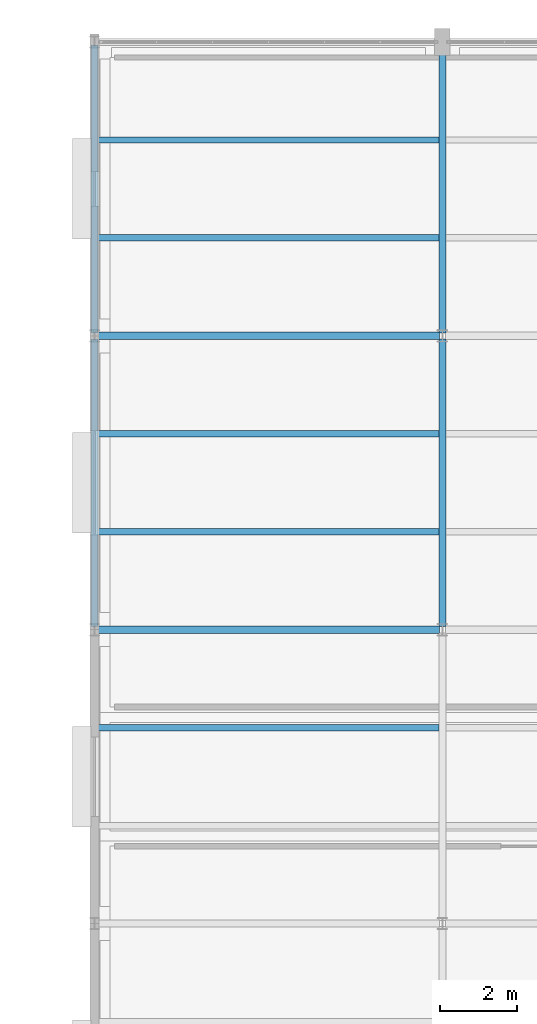
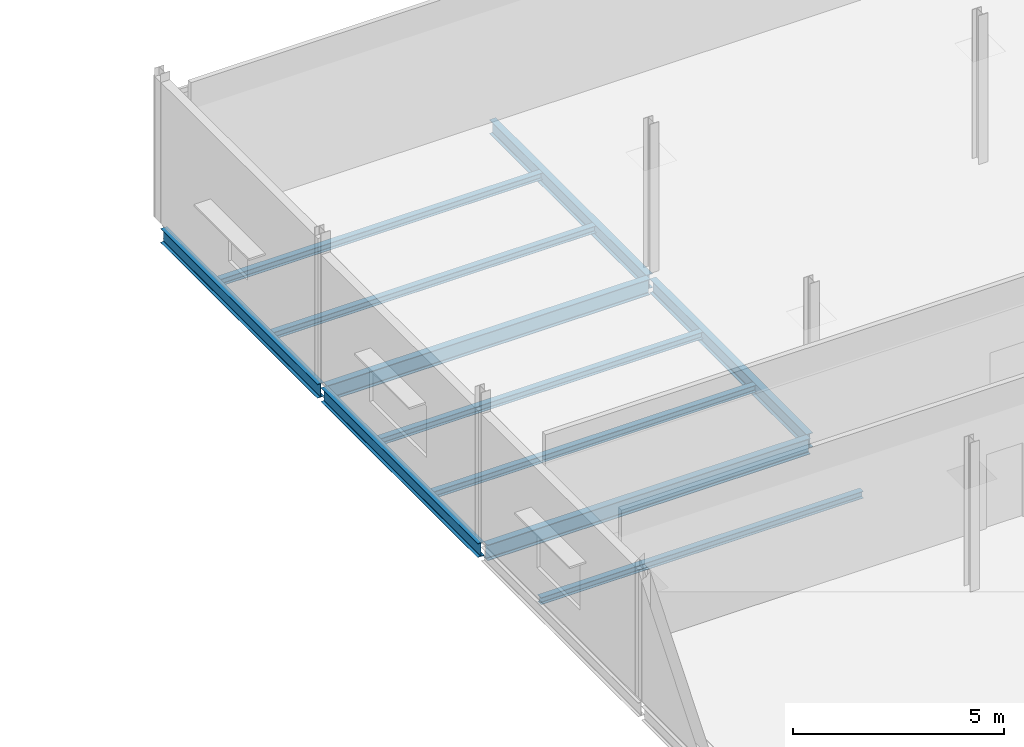
# One storey, part 81 of 174: 11 beams.
"""IFC4 building model written with IfcOpenShell, lengths in metres."""

import ifcopenshell
import ifcopenshell.guid

model = None  # the IFC model being written
_history = None  # IfcOwnerHistory: only IFC2X3 demands one
_inside = {}  # id of a spatial element -> (the spatial element, [elements in it])
_under = {}  # id of a project, library or spatial element -> (it, [spatial elements below it])
_declared = {}  # id of a project -> (the project, [libraries it declares])
_typed = {}  # id of a type object -> (the type object, [elements of that type])
_made_of = {}  # id of a material, layer set ... -> (it, [elements and type objects made of it])


def new_model(schema):
    """Start an empty IFC model of exactly this schema.

    Asked for "IFC4X3", IfcOpenShell would pick the latest addendum, in which some entities
    have other attributes; the version numbers below select the first issue.
    IFC2X3 requires an IfcOwnerHistory on every rooted entity: one is made here for all.
    """
    global model, _history
    if schema == "IFC4X3":
        model = ifcopenshell.file(schema_version=(4, 3, 0, 0))
    else:
        model = ifcopenshell.file(schema=schema)
    _inside.clear()
    _under.clear()
    _declared.clear()
    _typed.clear()
    _made_of.clear()
    _history = None
    if model.schema == "IFC2X3":
        org = make("IfcOrganization", Name="unknown")
        user = make(
            "IfcPersonAndOrganization",
            ThePerson=make("IfcPerson", FamilyName="unknown"),
            TheOrganization=org,
        )
        app = make(
            "IfcApplication",
            ApplicationDeveloper=org,
            Version="unknown",
            ApplicationFullName="unknown",
            ApplicationIdentifier="unknown",
        )
        _history = make(
            "IfcOwnerHistory",
            OwningUser=user,
            OwningApplication=app,
            ChangeAction="ADDED",
            CreationDate=0,
        )
    return model


def make(cls, **values):
    """One entity of the class cls with the attributes given. An attribute that is None is left unset."""
    return model.create_entity(
        cls, **{name: value for name, value in values.items() if value is not None}
    )


def rooted(cls, **values):
    """An entity with a GlobalId (a new one), such as an element, a storey or a relation."""
    return make(cls, GlobalId=ifcopenshell.guid.new(), OwnerHistory=_history, **values)


def si_unit(unit_type, name, prefix=None):
    """IfcSIUnit, for example si_unit("LENGTHUNIT", "METRE", prefix="MILLI")."""
    return make("IfcSIUnit", UnitType=unit_type, Prefix=prefix, Name=name)


def assignment(units):
    """IfcUnitAssignment: the units of a project."""
    return None if units is None else make("IfcUnitAssignment", Units=units)


def point(xyz):
    """IfcCartesianPoint."""
    return None if xyz is None else make("IfcCartesianPoint", Coordinates=xyz)


def direction(xyz):
    """IfcDirection."""
    return None if xyz is None else make("IfcDirection", DirectionRatios=xyz)


def frame(location, z_axis=None, x_axis=None):
    """IfcAxis2Placement3D, a coordinate frame: its origin and axes. An axis left out is left unset."""
    return make(
        "IfcAxis2Placement3D",
        Location=point(location),
        Axis=direction(z_axis),
        RefDirection=direction(x_axis),
    )


def frame_2d(location, x_axis=None):
    """IfcAxis2Placement2D, a coordinate frame in the plane: its origin and x axis."""
    return make(
        "IfcAxis2Placement2D", Location=point(location), RefDirection=direction(x_axis)
    )


def origin():
    """The frame at (0, 0, 0) with its axes left unset."""
    return frame((0.0, 0.0, 0.0))


def origin_2d():
    """The frame at (0, 0) in the plane with its x axis left unset."""
    return frame_2d((0.0, 0.0))


def place(relative_to, where):
    """IfcLocalPlacement: puts the frame where relative to a parent placement (None: the world)."""
    return make(
        "IfcLocalPlacement", PlacementRelTo=relative_to, RelativePlacement=where
    )


def context(
    kind, dimensions, precision=None, world=None, true_north=None, identifier=None
):
    """IfcGeometricRepresentationContext, for example the 3D "Model" context."""
    return make(
        "IfcGeometricRepresentationContext",
        ContextIdentifier=identifier,
        ContextType=kind,
        CoordinateSpaceDimension=dimensions,
        Precision=precision,
        WorldCoordinateSystem=world,
        TrueNorth=true_north,
    )


def subcontext(parent, identifier, kind, view, scale=None):
    """IfcGeometricRepresentationSubContext, for example "Body" below "Model"."""
    return make(
        "IfcGeometricRepresentationSubContext",
        ContextIdentifier=identifier,
        ContextType=kind,
        ParentContext=parent,
        TargetScale=scale,
        TargetView=view,
    )


def project(units=None, contexts=None):
    """IfcProject with its units and contexts."""
    return rooted(
        "IfcProject",
        Name="project",
        RepresentationContexts=contexts,
        UnitsInContext=assignment(units),
    )


def spatial(cls, under=None, at=None, **own):
    """A site, building, storey or space (cls), placed at a placement, below another one or the project."""
    s = rooted(cls, ObjectPlacement=at, **own)
    if under is not None:
        _under.setdefault(under.id(), (under, []))[1].append(s)
    return s


def profile(cls, at=None, kind="AREA", **sizes):
    """A parametric profile (cls). Its sizes go by their IFC names, for example OverallWidth=200.0."""
    return make(cls, ProfileType=kind, Position=at, **sizes)


def i_section(**sizes):
    """IfcIShapeProfileDef."""
    return profile("IfcIShapeProfileDef", **sizes)


def extrude(swept, where, along, depth):
    """IfcExtrudedAreaSolid: the profile swept, set in the frame where, extruded along a direction by depth."""
    return make(
        "IfcExtrudedAreaSolid",
        SweptArea=swept,
        Position=where,
        ExtrudedDirection=direction(along),
        Depth=depth,
    )


def shape(context_of_items, identifier, shape_type, items):
    """IfcShapeRepresentation: the items that make up one representation, for example the "Body"."""
    return make(
        "IfcShapeRepresentation",
        ContextOfItems=context_of_items,
        RepresentationIdentifier=identifier,
        RepresentationType=shape_type,
        Items=items,
    )


def material(Name=None, Category=None):
    """IfcMaterial."""
    return make("IfcMaterial", Name=Name, Category=Category)


def material_profile(
    of_material, cross_section, Name=None, Category=None, Priority=None
):
    """IfcMaterialProfile: a cross section and its material."""
    return make(
        "IfcMaterialProfile",
        Name=Name,
        Material=of_material,
        Profile=cross_section,
        Priority=Priority,
        Category=Category,
    )


def profile_set(profiles, Name=None, composite=None):
    """IfcMaterialProfileSet."""
    return make(
        "IfcMaterialProfileSet",
        Name=Name,
        MaterialProfiles=profiles,
        CompositeProfile=composite,
    )


def made_of(thing, what):
    """Note that an element or type object is made of a material, layer set ...; save() writes the relation."""
    if what is not None:
        _made_of.setdefault(what.id(), (what, []))[1].append(thing)
    return thing


def type_object(cls, material=None, **own):
    """A type object (cls), such as IfcWallType, which elements share."""
    return made_of(rooted(cls, **own), material)


def element(
    cls,
    number,
    at=None,
    inside=None,
    cuts=None,
    type_object=None,
    material=None,
    context=None,
    identifier="Body",
    shape_type=None,
    held_by="IfcProductDefinitionShape",
    body=None,
    shapes=None,
    **own,
):
    """One element of the class cls, such as IfcWall. Its Tag is "e" and its number.

    at: its placement. inside: the storey or other place that contains it. cuts: it is an
    opening in that element (IfcRelVoidsElement). A single representation is given by context,
    identifier, shape_type and body (its items); several are given by shapes. held_by: the class
    of the entity that holds the representations. save() writes the other relations.
    """
    e = rooted(cls, Tag="e%d" % number, ObjectPlacement=at, **own)
    if body is not None:
        shapes = [shape(context, identifier, shape_type, body)]
    if shapes is not None:
        e.Representation = make(held_by, Representations=shapes)
    if inside is not None:
        _inside.setdefault(inside.id(), (inside, []))[1].append(e)
    if cuts is not None:
        rooted(
            "IfcRelVoidsElement", RelatingBuildingElement=cuts, RelatedOpeningElement=e
        )
    if type_object is not None:
        _typed.setdefault(type_object.id(), (type_object, []))[1].append(e)
    return made_of(e, material)


def aggregate(whole, parts):
    """IfcRelAggregates: a whole, such as a stair, and the parts it consists of."""
    return rooted("IfcRelAggregates", RelatingObject=whole, RelatedObjects=parts)


def save(model, path):
    """Write the relations noted so far, then the file.

    IfcRelAggregates (storeys below a building ...), IfcRelContainedInSpatialStructure (elements
    in a storey), IfcRelDefinesByType, IfcRelAssociatesMaterial and IfcRelDeclares: one each for
    every whole, place, type object, material and project.
    """
    for whole, parts in _under.values():
        aggregate(whole, parts)
    for where, things in _inside.values():
        rooted(
            "IfcRelContainedInSpatialStructure",
            RelatedElements=things,
            RelatingStructure=where,
        )
    for kind, things in _typed.values():
        rooted("IfcRelDefinesByType", RelatedObjects=things, RelatingType=kind)
    for what, things in _made_of.values():
        rooted("IfcRelAssociatesMaterial", RelatedObjects=things, RelatingMaterial=what)
    for by, libraries in _declared.values():
        rooted("IfcRelDeclares", RelatingContext=by, RelatedDefinitions=libraries)
    model.write(path)


model = new_model("IFC4")

# Units and contexts
model_context = context("Model", 3, precision=1e-05, world=origin(), true_north=direction((0.0, 1.0)))
body_context = subcontext(model_context, "Body", "Model", "MODEL_VIEW")
ifc_project = project(units=[si_unit("LENGTHUNIT", "METRE"), si_unit("AREAUNIT", "SQUARE_METRE"), si_unit("VOLUMEUNIT", "CUBIC_METRE"), si_unit("PLANEANGLEUNIT", "RADIAN"), si_unit("MASSUNIT", "GRAM", prefix="KILO")], contexts=[model_context])

# Site, building, storey
site_placement = place(None, origin())
site = spatial("IfcSite", under=ifc_project, at=site_placement, CompositionType="ELEMENT")
building_placement = place(site_placement, origin())
building = spatial("IfcBuilding", under=site, at=building_placement, Name="Caisbarro Railhouse Central Library", CompositionType="ELEMENT")
storey_placement = place(building_placement, frame((0.0, 0.0, 5.0400390625)))
storey = spatial("IfcBuildingStorey", under=building, at=storey_placement, Name="L01", CompositionType="ELEMENT", Elevation=5.0400390625)

# Beams
ifc_material = material(Name="Steel ASTM A572 Grade 50", Category="steel")
ifc_material_profile_1 = material_profile(ifc_material, i_section(OverallWidth=0.18994140625, OverallDepth=0.45703125, WebThickness=0.009033203125, FlangeThickness=0.014404296875, FilletRadius=0.01806640625, at=origin_2d()), Name="W460X74.0")
ifc_profile_set_1 = profile_set([ifc_material_profile_1], Name="Steel ASTM A572 Grade 50")
beam_type_1 = type_object("IfcBeamType", Name="BM-G08", PredefinedType="BEAM", material=ifc_profile_set_1)
for number, where, z_axis, x_axis, name in (
    (1, (54.080078125, 98.800048828125, -0.428466796875), (1.0, 0.0, 0.0), (0.0, 1.0, 0.0), "G08 beam L01 #1169"),
    (2, (54.080078125, 106.39990234375, -0.428466796875), (1.0, 0.0, 0.0), (0.0, 1.0, 0.0), "G08 beam L01 #1174"),
):
    element("IfcBeam", number, at=place(storey_placement, frame(where, z_axis=z_axis, x_axis=x_axis)), inside=storey, type_object=beam_type_1, Name=name, PredefinedType="BEAM", context=body_context, shape_type="SweptSolid", body=[
        extrude(i_section(OverallWidth=0.18994140625, OverallDepth=0.45703125, WebThickness=0.009033203125, FlangeThickness=0.014404296875, FilletRadius=0.01806640625, at=origin_2d()), origin(), (0.0, 0.0, 1.0), 8.83984375),
    ])
ifc_material_profile_2 = material_profile(ifc_material, i_section(OverallWidth=0.177978515625, OverallDepth=0.406982421875, WebThickness=0.0078125, FlangeThickness=0.0126953125, FilletRadius=0.01611328125, at=origin_2d()), Name="W410X60.0")
ifc_profile_set_2 = profile_set([ifc_material_profile_2], Name="Steel ASTM A572 Grade 50")
beam_type_2 = type_object("IfcBeamType", Name="BM-G10", PredefinedType="BEAM", material=ifc_profile_set_2)
beam_1_placement = place(storey_placement, frame((54.0, 98.8798828125, -0.403564453125), z_axis=(0.0, 1.0, 0.0), x_axis=(-1.0, 0.0, 0.0)))
element("IfcBeam", 3, at=beam_1_placement, inside=storey, type_object=beam_type_2, Name="G10 beam L01 #1186", PredefinedType="BEAM", context=body_context, shape_type="SweptSolid", body=[
    extrude(i_section(OverallWidth=0.177978515625, OverallDepth=0.406982421875, WebThickness=0.0078125, FlangeThickness=0.0126953125, FilletRadius=0.01611328125, at=origin_2d()), origin(), (0.0, 0.0, 1.0), 7.440185546875),
])
beam_2_placement = place(storey_placement, frame((54.0, 106.47998046875, -0.403564453125), z_axis=(0.0, 1.0, 0.0), x_axis=(-1.0, 0.0, 0.0)))
element("IfcBeam", 4, at=beam_2_placement, inside=storey, type_object=beam_type_2, Name="G10 beam L01 #1187", PredefinedType="BEAM", context=body_context, shape_type="SweptSolid", body=[
    extrude(i_section(OverallWidth=0.177978515625, OverallDepth=0.406982421875, WebThickness=0.0078125, FlangeThickness=0.0126953125, FilletRadius=0.01611328125, at=origin_2d()), origin(), (0.0, 0.0, 1.0), 7.43994140625),
])
beam_3_placement = place(storey_placement, frame((63.0, 98.8798828125, -0.403564453125), z_axis=(0.0, 1.0, 0.0), x_axis=(-1.0, 0.0, 0.0)))
element("IfcBeam", 5, at=beam_3_placement, inside=storey, type_object=beam_type_2, Name="G10 beam L01 #1190", PredefinedType="BEAM", context=body_context, shape_type="SweptSolid", body=[
    extrude(i_section(OverallWidth=0.177978515625, OverallDepth=0.406982421875, WebThickness=0.0078125, FlangeThickness=0.0126953125, FilletRadius=0.01611328125, at=origin_2d()), origin(), (0.0, 0.0, 1.0), 7.440185546875),
])
beam_4_placement = place(storey_placement, frame((63.0, 106.47998046875, -0.403564453125), z_axis=(0.0, 1.0, 0.0), x_axis=(-1.0, 0.0, 0.0)))
element("IfcBeam", 6, at=beam_4_placement, inside=storey, type_object=beam_type_2, Name="G10 beam L01 #1191", PredefinedType="BEAM", context=body_context, shape_type="SweptSolid", body=[
    extrude(i_section(OverallWidth=0.177978515625, OverallDepth=0.406982421875, WebThickness=0.0078125, FlangeThickness=0.0126953125, FilletRadius=0.01611328125, at=origin_2d()), origin(), (0.0, 0.0, 1.0), 7.43994140625),
])
ifc_material_profile_3 = material_profile(ifc_material, i_section(OverallWidth=0.1650390625, OverallDepth=0.200927734375, WebThickness=0.006103515625, FlangeThickness=0.01025390625, FilletRadius=0.010009765625, at=origin_2d()), Name="W200X35.9")
ifc_profile_set_3 = profile_set([ifc_material_profile_3], Name="Steel ASTM A572 Grade 50")
beam_type_3 = type_object("IfcBeamType", Name="BM-J06", PredefinedType="JOIST", material=ifc_profile_set_3)
for number, where, z_axis, x_axis, name in (
    (7, (54.089111328125, 96.2666015625, -0.300537109375), (1.0, 0.0, 0.0), (0.0, 1.0, 0.0), "J06 beam L01 #1211"),
    (8, (54.089111328125, 101.333251953125, -0.300537109375), (1.0, 0.0, 0.0), (0.0, 1.0, 0.0), "J06 beam L01 #1212"),
    (9, (54.089111328125, 103.86669921875, -0.300537109375), (1.0, 0.0, 0.0), (0.0, 1.0, 0.0), "J06 beam L01 #1213"),
    (10, (54.089111328125, 108.933349609375, -0.300537109375), (1.0, 0.0, 0.0), (0.0, 1.0, 0.0), "J06 beam L01 #1214"),
    (11, (54.089111328125, 111.466796875, -0.300537109375), (1.0, 0.0, 0.0), (0.0, 1.0, 0.0), "J06 beam L01 #1215"),
):
    element("IfcBeam", number, at=place(storey_placement, frame(where, z_axis=z_axis, x_axis=x_axis)), inside=storey, type_object=beam_type_3, Name=name, PredefinedType="JOIST", context=body_context, shape_type="SweptSolid", body=[
        extrude(i_section(OverallWidth=0.1650390625, OverallDepth=0.200927734375, WebThickness=0.006103515625, FlangeThickness=0.01025390625, FilletRadius=0.010009765625, at=origin_2d()), origin(), (0.0, 0.0, 1.0), 8.82177734375),
    ])

save(model, "model.ifc")
